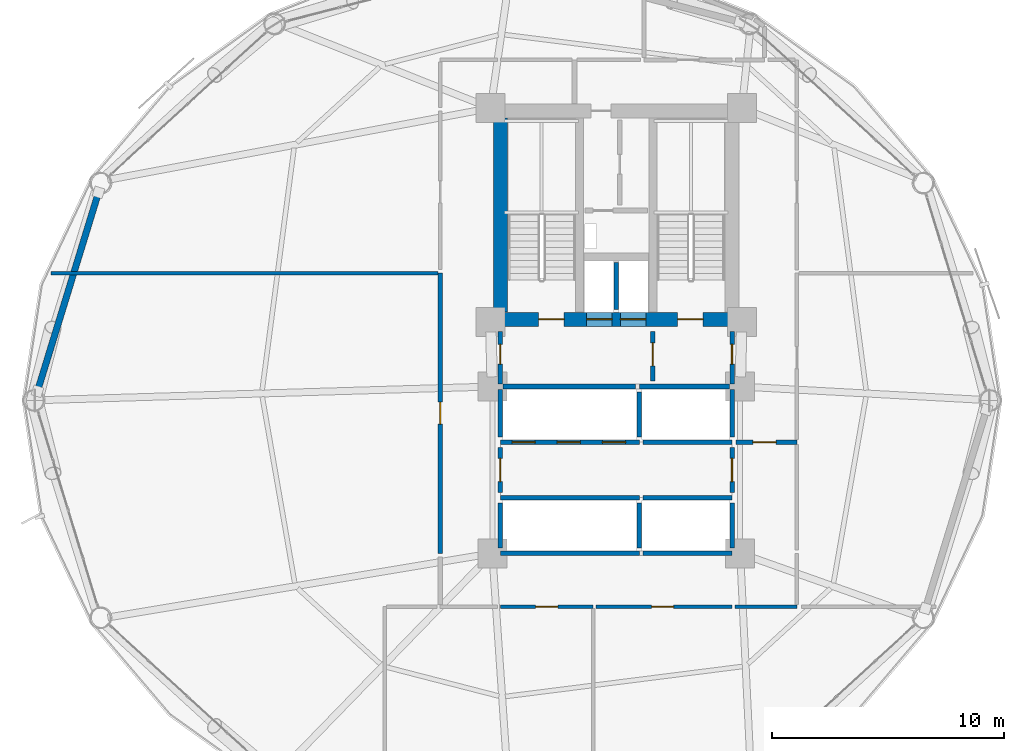
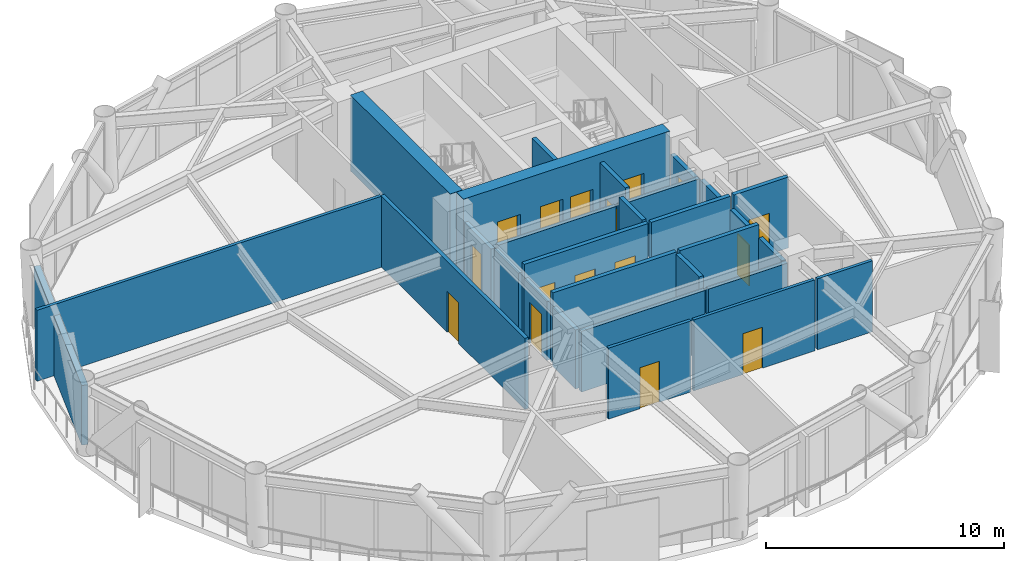
# One storey, part 21 of 25: 29 walls, 16 doors, 16 openings.
"""IFC4 building model written with IfcOpenShell, lengths in metres."""

from ifc_helpers import new_model, si_unit, direction, frame, frame_2d, origin, place, context, subcontext, project, spatial, rectangle, extrude, material, layer, layer_set, type_object, element, fill, save


model = new_model("IFC4")

# Units and contexts
model_context = context("Model", 3, precision=1e-05, world=origin(), true_north=direction((0.0, 1.0)))
body_context = subcontext(model_context, "Body", "Model", "MODEL_VIEW")
ifc_project = project(units=[si_unit("LENGTHUNIT", "METRE"), si_unit("AREAUNIT", "SQUARE_METRE"), si_unit("VOLUMEUNIT", "CUBIC_METRE"), si_unit("PLANEANGLEUNIT", "RADIAN"), si_unit("MASSUNIT", "GRAM", prefix="KILO")], contexts=[model_context])

# Site, building, storey
site_placement = place(None, origin())
site = spatial("IfcSite", under=ifc_project, at=site_placement, CompositionType="ELEMENT")
building_placement = place(site_placement, origin())
building = spatial("IfcBuilding", under=site, at=building_placement, Name="Varnakorn Sky Granary", CompositionType="ELEMENT")
storey_placement = place(building_placement, frame((0.0, 0.0, 39.300048828125)))
storey = spatial("IfcBuildingStorey", under=building, at=storey_placement, Name="L09", CompositionType="ELEMENT", Elevation=39.300048828125)

# Wall, openings, doors
ifc_material_1 = material(Name="Concrete C60/75", Category="concrete")
ifc_layer_1 = layer(ifc_material_1, 0.60009765625, Name="Concrete C60/75")
ifc_layer_set_1 = layer_set([ifc_layer_1], Name="Concrete C60/75")
wall_type_1 = type_object("IfcWallType", Name="WT-CW-SHEAR-600", PredefinedType="SHEAR", material=ifc_layer_set_1)
wall_1_placement = place(storey_placement, frame((-2.0, 3.5, 0.0), z_axis=(0.0, 0.0, 1.0), x_axis=(1.0, 0.0, 0.0)))
wall_1 = element("IfcWall", 1, at=wall_1_placement, inside=storey, type_object=wall_type_1, Name="Core South Shear Wall L09", PredefinedType="SHEAR", context=body_context, shape_type="SweptSolid", body=[
    extrude(rectangle(XDim=10.0, YDim=0.60009765625, at=frame_2d((5.0, 0.0))), origin(), (0.0, 0.0, 1.0), 3.891845703125),
])
opening_1_placement = place(wall_1_placement, frame((1.64990234375, 0.0, 0.0)))
opening_1 = element("IfcOpeningElement", 2, at=opening_1_placement, cuts=wall_1, Name="Opening FD-90", PredefinedType="OPENING", context=body_context, shape_type="SweptSolid", body=[
    extrude(rectangle(XDim=1.10009765625, YDim=2.14990234375, at=frame_2d((0.550048828125, 1.074951171875))), frame((0.0, 0.31005859375, 0.0), z_axis=(0.0, -1.0, 0.0), x_axis=(1.0, 0.0, 0.0)), (0.0, 0.0, 1.0), 0.6201171875),
])
opening_2_placement = place(wall_1_placement, frame((7.64990234375, 0.0, 0.0)))
opening_2 = element("IfcOpeningElement", 3, at=opening_2_placement, cuts=wall_1, Name="Opening FD-90", PredefinedType="OPENING", context=body_context, shape_type="SweptSolid", body=[
    extrude(rectangle(XDim=1.10009765625, YDim=2.14990234375, at=frame_2d((0.550048828125, 1.074951171875))), frame((0.0, 0.31005859375, 0.0), z_axis=(0.0, -1.0, 0.0), x_axis=(1.0, 0.0, 0.0)), (0.0, 0.0, 1.0), 0.6201171875),
])
opening_3_placement = place(wall_1_placement, frame((3.719970703125, 0.0, 0.0)))
opening_3 = element("IfcOpeningElement", 4, at=opening_3_placement, cuts=wall_1, Name="Opening LD-01", PredefinedType="OPENING", context=body_context, shape_type="SweptSolid", body=[
    extrude(rectangle(XDim=1.10009765625, YDim=2.199951171875, at=frame_2d((0.550048828125, 1.10009765625))), frame((0.0, 0.31005859375, 0.0), z_axis=(0.0, -1.0, 0.0), x_axis=(1.0, 0.0, 0.0)), (0.0, 0.0, 1.0), 0.6201171875),
])
opening_4_placement = place(wall_1_placement, frame((5.179931640625, 0.0, 0.0)))
opening_4 = element("IfcOpeningElement", 5, at=opening_4_placement, cuts=wall_1, Name="Opening LD-01", PredefinedType="OPENING", context=body_context, shape_type="SweptSolid", body=[
    extrude(rectangle(XDim=1.10009765625, YDim=2.199951171875, at=frame_2d((0.550048828125, 1.10009765625))), frame((0.0, 0.31005859375, 0.0), z_axis=(0.0, -1.0, 0.0), x_axis=(1.0, 0.0, 0.0)), (0.0, 0.0, 1.0), 0.6201171875),
])
ifc_material_2 = material(Name="Brushed Bronze Stainless Steel", Category="steel")
door_type_1 = type_object("IfcDoorType", Name="DR-LD-1100", OperationType="DOUBLE_DOOR_SLIDING", PredefinedType="DOOR", material=ifc_material_2)
door_1_placement = place(opening_3_placement, origin())
door_1 = element("IfcDoor", 6, at=door_1_placement, inside=storey, type_object=door_type_1, Name="Firefighting Lift FFL-1 Landing Door L09", OperationType="DOUBLE_DOOR_SLIDING", OverallHeight=2.199951171875, OverallWidth=1.10009765625, PredefinedType="DOOR", context=body_context, shape_type="SweptSolid", body=[
    extrude(rectangle(XDim=1.10009765625, YDim=2.199951171875, at=frame_2d((0.550048828125, 1.10009765625))), frame((0.0, 0.02490234375, 0.0), z_axis=(0.0, -1.0, 0.0), x_axis=(1.0, 0.0, 0.0)), (0.0, 0.0, 1.0), 0.050048828125),
])
fill(opening_3, door_1)
door_2_placement = place(opening_4_placement, origin())
door_2 = element("IfcDoor", 7, at=door_2_placement, inside=storey, type_object=door_type_1, Name="Firefighting Lift FFL-2 Landing Door L09", OperationType="DOUBLE_DOOR_SLIDING", OverallHeight=2.199951171875, OverallWidth=1.10009765625, PredefinedType="DOOR", context=body_context, shape_type="SweptSolid", body=[
    extrude(rectangle(XDim=1.10009765625, YDim=2.199951171875, at=frame_2d((0.550048828125, 1.10009765625))), frame((0.0, 0.02490234375, 0.0), z_axis=(0.0, -1.0, 0.0), x_axis=(1.0, 0.0, 0.0)), (0.0, 0.0, 1.0), 0.050048828125),
])
fill(opening_4, door_2)
ifc_material_3 = material(Name="Galvanised Painted Steel Leaf", Category="steel")
door_type_2 = type_object("IfcDoorType", Name="DR-STAIR-1100", OperationType="NOTDEFINED", PredefinedType="DOOR", material=ifc_material_3)
door_3_placement = place(opening_1_placement, origin())
door_3 = element("IfcDoor", 8, at=door_3_placement, inside=storey, type_object=door_type_2, Name="Stair ST-1 Protected Fire Door L09", OperationType="SINGLE_SWING_LEFT", OverallHeight=2.14990234375, OverallWidth=1.10009765625, PredefinedType="DOOR", context=body_context, shape_type="SweptSolid", body=[
    extrude(rectangle(XDim=1.10009765625, YDim=2.14990234375, at=frame_2d((0.550048828125, 1.074951171875))), frame((0.0, 0.02490234375, 0.0), z_axis=(0.0, -1.0, 0.0), x_axis=(1.0, 0.0, 0.0)), (0.0, 0.0, 1.0), 0.050048828125),
])
fill(opening_1, door_3)
door_4_placement = place(opening_2_placement, origin())
door_4 = element("IfcDoor", 9, at=door_4_placement, inside=storey, type_object=door_type_2, Name="Stair ST-2 Protected Fire Door L09", OperationType="SINGLE_SWING_RIGHT", OverallHeight=2.14990234375, OverallWidth=1.10009765625, PredefinedType="DOOR", context=body_context, shape_type="SweptSolid", body=[
    extrude(rectangle(XDim=1.10009765625, YDim=2.14990234375, at=frame_2d((0.550048828125, 1.074951171875))), frame((0.0, 0.02490234375, 0.0), z_axis=(0.0, -1.0, 0.0), x_axis=(1.0, 0.0, 0.0)), (0.0, 0.0, 1.0), 0.050048828125),
])
fill(opening_2, door_4)

# Walls
wall_2_placement = place(storey_placement, frame((-2.0, 3.81005859375, 0.0), z_axis=(0.0, 0.0, 1.0), x_axis=(0.0, 1.0, 0.0)))
element("IfcWall", 10, at=wall_2_placement, inside=storey, type_object=wall_type_1, Name="Core West Shear Wall L09", PredefinedType="SHEAR", context=body_context, shape_type="SweptSolid", body=[
    extrude(rectangle(XDim=8.3798828125, YDim=0.60009765625, at=frame_2d((4.18994140625, 0.0))), origin(), (0.0, 0.0, 1.0), 3.891845703125),
])
ifc_material_4 = material(Name="Precast concrete C40/50", Category="concrete")
ifc_layer_2 = layer(ifc_material_4, 0.280029296875, Name="Precast concrete C40/50")
ifc_layer_set_2 = layer_set([ifc_layer_2], Name="Precast concrete C40/50")
wall_type_2 = type_object("IfcWallType", Name="WT-EW-CRN-280", PredefinedType="SOLIDWALL", material=ifc_layer_set_2)
wall_3_placement = place(storey_placement, frame((-21.985107421875, 0.393798828125, 0.0), z_axis=(0.0, 0.0, 1.0), x_axis=(0.293459272164, 0.955971576764, 0.0)))
element("IfcWall", 11, at=wall_3_placement, inside=storey, type_object=wall_type_2, Name="Agritech Insulated Precast Facade Wall L09-P06", PredefinedType="SOLIDWALL", context=body_context, shape_type="SweptSolid", body=[
    extrude(rectangle(XDim=8.981689453125, YDim=0.280029296875, at=frame_2d((4.49072265625, 0.0))), origin(), (0.0, 0.0, 1.0), 3.06005859375),
])

# Wall, opening, door
ifc_material_5 = material(Name="Autoclaved Aerated Concrete Blockwork", Category="masonry")
ifc_layer_3 = layer(ifc_material_5, 0.199951171875, Name="Autoclaved Aerated Concrete Blockwork")
ifc_layer_set_3 = layer_set([ifc_layer_3], Name="Autoclaved Aerated Concrete Blockwork")
wall_type_3 = type_object("IfcWallType", Name="WT-FIRE-200", PredefinedType="MOVABLE", material=ifc_layer_set_3)
wall_4_placement = place(storey_placement, frame((4.580078125, 0.830078125, 0.0), z_axis=(0.0, 0.0, 1.0), x_axis=(0.0, 1.0, 0.0)))
wall_4 = element("IfcWall", 12, at=wall_4_placement, inside=storey, type_object=wall_type_3, Name="Interior Partition Wall L09-017", PredefinedType="MOVABLE", context=body_context, shape_type="SweptSolid", body=[
    extrude(rectangle(XDim=2.139892578125, YDim=0.199951171875, at=frame_2d((1.06982421875, 0.0))), origin(), (0.0, 0.0, 1.0), 3.639892578125),
])
opening_5_placement = place(wall_4_placement, frame((0.659912109375, 0.0, 0.0)))
opening_5 = element("IfcOpeningElement", 13, at=opening_5_placement, cuts=wall_4, Name="Opening FD-60", PredefinedType="OPENING", context=body_context, shape_type="SweptSolid", body=[
    extrude(rectangle(XDim=1.0, YDim=2.10009765625, at=frame_2d((0.5, 1.050048828125))), frame((0.0, 0.10986328125, 0.0), z_axis=(0.0, -1.0, 0.0), x_axis=(1.0, 0.0, 0.0)), (0.0, 0.0, 1.0), 0.219970703125),
])
ifc_material_6 = material(Name="Acoustic Timber Fire Leaf", Category="wood")
door_type_3 = type_object("IfcDoorType", Name="DR-FD60-1000", OperationType="NOTDEFINED", PredefinedType="DOOR", material=ifc_material_6)
door_5_placement = place(opening_5_placement, origin())
door_5 = element("IfcDoor", 14, at=door_5_placement, inside=storey, type_object=door_type_3, Name="Interior Door L09-017-1", OperationType="SINGLE_SWING_RIGHT", OverallHeight=2.10009765625, OverallWidth=1.0, PredefinedType="DOOR", context=body_context, shape_type="SweptSolid", body=[
    extrude(rectangle(XDim=1.0, YDim=2.10009765625, at=frame_2d((0.5, 1.050048828125))), frame((0.0, 0.02490234375, 0.0), z_axis=(0.0, -1.0, 0.0), x_axis=(1.0, 0.0, 0.0)), (0.0, 0.0, 1.0), 0.050048828125),
])
fill(opening_5, door_5)

wall_5_placement = place(storey_placement, frame((-2.0, 0.719970703125, 0.0), z_axis=(0.0, 0.0, 1.0), x_axis=(0.0, 1.0, 0.0)))
wall_5 = element("IfcWall", 15, at=wall_5_placement, inside=storey, type_object=wall_type_3, Name="Interior Partition Wall L09-018", PredefinedType="MOVABLE", context=body_context, shape_type="SweptSolid", body=[
    extrude(rectangle(XDim=2.25, YDim=0.199951171875, at=frame_2d((1.125, 0.0))), origin(), (0.0, 0.0, 1.0), 2.8720703125),
])
opening_6_placement = place(wall_5_placement, frame((0.844970703125, 0.0, 0.0)))
opening_6 = element("IfcOpeningElement", 16, at=opening_6_placement, cuts=wall_5, Name="Opening FD-60N", PredefinedType="OPENING", context=body_context, shape_type="SweptSolid", body=[
    extrude(rectangle(XDim=0.85009765625, YDim=2.10009765625, at=frame_2d((0.425048828125, 1.050048828125))), frame((0.0, 0.10986328125, 0.0), z_axis=(0.0, -1.0, 0.0), x_axis=(1.0, 0.0, 0.0)), (0.0, 0.0, 1.0), 0.219970703125),
])
door_type_4 = type_object("IfcDoorType", Name="DR-FD60-850", OperationType="NOTDEFINED", PredefinedType="DOOR", material=ifc_material_6)
door_6_placement = place(opening_6_placement, origin())
door_6 = element("IfcDoor", 17, at=door_6_placement, inside=storey, type_object=door_type_4, Name="Interior Door L09-018-1", OperationType="SINGLE_SWING_LEFT", OverallHeight=2.10009765625, OverallWidth=0.85009765625, PredefinedType="DOOR", context=body_context, shape_type="SweptSolid", body=[
    extrude(rectangle(XDim=0.85009765625, YDim=2.10009765625, at=frame_2d((0.425048828125, 1.050048828125))), frame((0.0, 0.02490234375, 0.0), z_axis=(0.0, -1.0, 0.0), x_axis=(1.0, 0.0, 0.0)), (0.0, 0.0, 1.0), 0.050048828125),
])
fill(opening_6, door_6)

wall_6_placement = place(storey_placement, frame((8.0, 0.719970703125, 0.0), z_axis=(0.0, 0.0, 1.0), x_axis=(0.0, 1.0, 0.0)))
wall_6 = element("IfcWall", 18, at=wall_6_placement, inside=storey, type_object=wall_type_3, Name="Interior Partition Wall L09-019", PredefinedType="MOVABLE", context=body_context, shape_type="SweptSolid", body=[
    extrude(rectangle(XDim=2.25, YDim=0.199951171875, at=frame_2d((1.125, 0.0))), origin(), (0.0, 0.0, 1.0), 2.8720703125),
])
opening_7_placement = place(wall_6_placement, frame((0.844970703125, 0.0, 0.0)))
opening_7 = element("IfcOpeningElement", 19, at=opening_7_placement, cuts=wall_6, Name="Opening FD-60N", PredefinedType="OPENING", context=body_context, shape_type="SweptSolid", body=[
    extrude(rectangle(XDim=0.85009765625, YDim=2.10009765625, at=frame_2d((0.425048828125, 1.050048828125))), frame((0.0, 0.10986328125, 0.0), z_axis=(0.0, -1.0, 0.0), x_axis=(1.0, 0.0, 0.0)), (0.0, 0.0, 1.0), 0.219970703125),
])
door_7_placement = place(opening_7_placement, origin())
door_7 = element("IfcDoor", 20, at=door_7_placement, inside=storey, type_object=door_type_4, Name="Interior Door L09-019-1", OperationType="SINGLE_SWING_RIGHT", OverallHeight=2.10009765625, OverallWidth=0.85009765625, PredefinedType="DOOR", context=body_context, shape_type="SweptSolid", body=[
    extrude(rectangle(XDim=0.85009765625, YDim=2.10009765625, at=frame_2d((0.425048828125, 1.050048828125))), frame((0.0, 0.02490234375, 0.0), z_axis=(0.0, -1.0, 0.0), x_axis=(1.0, 0.0, 0.0)), (0.0, 0.0, 1.0), 0.050048828125),
])
fill(opening_7, door_7)

wall_7_placement = place(storey_placement, frame((-2.0, -3.969970703125, 0.0), z_axis=(0.0, 0.0, 1.0), x_axis=(0.0, 1.0, 0.0)))
wall_7 = element("IfcWall", 21, at=wall_7_placement, inside=storey, type_object=wall_type_3, Name="Interior Partition Wall L09-020", PredefinedType="MOVABLE", context=body_context, shape_type="SweptSolid", body=[
    extrude(rectangle(XDim=1.93994140625, YDim=0.199951171875, at=frame_2d((0.969970703125, 0.0))), origin(), (0.0, 0.0, 1.0), 3.02197265625),
])
opening_8_placement = place(wall_7_placement, frame((0.469970703125, 0.0, 0.0)))
opening_8 = element("IfcOpeningElement", 22, at=opening_8_placement, cuts=wall_7, Name="Opening FD-60", PredefinedType="OPENING", context=body_context, shape_type="SweptSolid", body=[
    extrude(rectangle(XDim=1.0, YDim=2.10009765625, at=frame_2d((0.5, 1.050048828125))), frame((0.0, 0.10986328125, 0.0), z_axis=(0.0, -1.0, 0.0), x_axis=(1.0, 0.0, 0.0)), (0.0, 0.0, 1.0), 0.219970703125),
])
door_8_placement = place(opening_8_placement, origin())
door_8 = element("IfcDoor", 23, at=door_8_placement, inside=storey, type_object=door_type_3, Name="Interior Door L09-020-1", OperationType="SINGLE_SWING_LEFT", OverallHeight=2.10009765625, OverallWidth=1.0, PredefinedType="DOOR", context=body_context, shape_type="SweptSolid", body=[
    extrude(rectangle(XDim=1.0, YDim=2.10009765625, at=frame_2d((0.5, 1.050048828125))), frame((0.0, 0.02490234375, 0.0), z_axis=(0.0, -1.0, 0.0), x_axis=(1.0, 0.0, 0.0)), (0.0, 0.0, 1.0), 0.050048828125),
])
fill(opening_8, door_8)

wall_8_placement = place(storey_placement, frame((8.0, -3.969970703125, 0.0), z_axis=(0.0, 0.0, 1.0), x_axis=(0.0, 1.0, 0.0)))
wall_8 = element("IfcWall", 24, at=wall_8_placement, inside=storey, type_object=wall_type_3, Name="Interior Partition Wall L09-021", PredefinedType="MOVABLE", context=body_context, shape_type="SweptSolid", body=[
    extrude(rectangle(XDim=1.93994140625, YDim=0.199951171875, at=frame_2d((0.969970703125, 0.0))), origin(), (0.0, 0.0, 1.0), 3.072021484375),
])
opening_9_placement = place(wall_8_placement, frame((0.469970703125, 0.0, 0.0)))
opening_9 = element("IfcOpeningElement", 25, at=opening_9_placement, cuts=wall_8, Name="Opening FD-60", PredefinedType="OPENING", context=body_context, shape_type="SweptSolid", body=[
    extrude(rectangle(XDim=1.0, YDim=2.10009765625, at=frame_2d((0.5, 1.050048828125))), frame((0.0, 0.10986328125, 0.0), z_axis=(0.0, -1.0, 0.0), x_axis=(1.0, 0.0, 0.0)), (0.0, 0.0, 1.0), 0.219970703125),
])
door_9_placement = place(opening_9_placement, origin())
door_9 = element("IfcDoor", 26, at=door_9_placement, inside=storey, type_object=door_type_3, Name="Interior Door L09-021-1", OperationType="SINGLE_SWING_RIGHT", OverallHeight=2.10009765625, OverallWidth=1.0, PredefinedType="DOOR", context=body_context, shape_type="SweptSolid", body=[
    extrude(rectangle(XDim=1.0, YDim=2.10009765625, at=frame_2d((0.5, 1.050048828125))), frame((0.0, 0.02490234375, 0.0), z_axis=(0.0, -1.0, 0.0), x_axis=(1.0, 0.0, 0.0)), (0.0, 0.0, 1.0), 0.050048828125),
])
fill(opening_9, door_9)

wall_9_placement = place(storey_placement, frame((8.159912109375, -1.800048828125, 0.0), z_axis=(0.0, 0.0, 1.0), x_axis=(1.0, 0.0, 0.0)))
wall_9 = element("IfcWall", 27, at=wall_9_placement, inside=storey, type_object=wall_type_3, Name="Interior Partition Wall L09-022", PredefinedType="MOVABLE", context=body_context, shape_type="SweptSolid", body=[
    extrude(rectangle(XDim=2.64013671875, YDim=0.199951171875, at=frame_2d((1.320068359375, 0.0))), origin(), (0.0, 0.0, 1.0), 3.639892578125),
])
opening_10_placement = place(wall_9_placement, frame((0.739990234375, 0.0, 0.0)))
opening_10 = element("IfcOpeningElement", 28, at=opening_10_placement, cuts=wall_9, Name="Opening FD-60", PredefinedType="OPENING", context=body_context, shape_type="SweptSolid", body=[
    extrude(rectangle(XDim=1.0, YDim=2.10009765625, at=frame_2d((0.5, 1.050048828125))), frame((0.0, 0.10986328125, 0.0), z_axis=(0.0, -1.0, 0.0), x_axis=(1.0, 0.0, 0.0)), (0.0, 0.0, 1.0), 0.219970703125),
])
door_10_placement = place(opening_10_placement, origin())
door_10 = element("IfcDoor", 29, at=door_10_placement, inside=storey, type_object=door_type_3, Name="Interior Door L09-022-1", OperationType="SINGLE_SWING_LEFT", OverallHeight=2.10009765625, OverallWidth=1.0, PredefinedType="DOOR", context=body_context, shape_type="SweptSolid", body=[
    extrude(rectangle(XDim=1.0, YDim=2.10009765625, at=frame_2d((0.5, 1.050048828125))), frame((0.0, 0.02490234375, 0.0), z_axis=(0.0, -1.0, 0.0), x_axis=(1.0, 0.0, 0.0)), (0.0, 0.0, 1.0), 0.050048828125),
])
fill(opening_10, door_10)

# Wall
wall_10_placement = place(storey_placement, frame((-1.8798828125, 0.60009765625, 0.0), z_axis=(0.0, 0.0, 1.0), x_axis=(1.0, 0.0, 0.0)))
element("IfcWall", 30, at=wall_10_placement, inside=storey, type_object=wall_type_3, Name="Interior Partition Wall L09-030", PredefinedType="MOVABLE", context=body_context, shape_type="SweptSolid", body=[
    extrude(rectangle(XDim=5.719970703125, YDim=0.199951171875, at=frame_2d((2.85986328125, 0.0))), origin(), (0.0, 0.0, 1.0), 3.1220703125),
])

# Wall, opening, door
ifc_material_7 = material(Name="Gypsum Plasterboard on Steel Stud", Category="steel")
ifc_layer_4 = layer(ifc_material_7, 0.14990234375, Name="Gypsum Plasterboard on Steel Stud")
ifc_layer_set_4 = layer_set([ifc_layer_4], Name="Gypsum Plasterboard on Steel Stud")
wall_type_4 = type_object("IfcWallType", Name="WT-PART-150", PredefinedType="PARTITIONING", material=ifc_layer_set_4)
wall_11_placement = place(storey_placement, frame((-2.0, -8.89990234375, 0.0), z_axis=(0.0, 0.0, 1.0), x_axis=(1.0, 0.0, 0.0)))
wall_11 = element("IfcWall", 31, at=wall_11_placement, inside=storey, type_object=wall_type_4, Name="Interior Partition Wall L09-024", PredefinedType="PARTITIONING", context=body_context, shape_type="SweptSolid", body=[
    extrude(rectangle(XDim=4.0, YDim=0.14990234375, at=frame_2d((2.0, 0.0))), origin(), (0.0, 0.0, 1.0), 3.639892578125),
])
opening_11_placement = place(wall_11_placement, frame((1.52490234375, 0.0, 0.0)))
opening_11 = element("IfcOpeningElement", 32, at=opening_11_placement, cuts=wall_11, Name="Opening ID-95", PredefinedType="OPENING", context=body_context, shape_type="SweptSolid", body=[
    extrude(rectangle(XDim=0.949951171875, YDim=2.10009765625, at=frame_2d((0.47509765625, 1.050048828125))), frame((0.0, 0.0849609375, 0.0), z_axis=(0.0, -1.0, 0.0), x_axis=(1.0, 0.0, 0.0)), (0.0, 0.0, 1.0), 0.169921875),
])
ifc_material_8 = material(Name="Solid-Core Teak Veneer Leaf", Category="timber")
door_type_5 = type_object("IfcDoorType", Name="DR-INT-950", OperationType="NOTDEFINED", PredefinedType="DOOR", material=ifc_material_8)
door_11_placement = place(opening_11_placement, origin())
door_11 = element("IfcDoor", 33, at=door_11_placement, inside=storey, type_object=door_type_5, Name="Interior Door L09-024-1", OperationType="SINGLE_SWING_LEFT", OverallHeight=2.10009765625, OverallWidth=0.949951171875, PredefinedType="DOOR", context=body_context, shape_type="SweptSolid", body=[
    extrude(rectangle(XDim=0.949951171875, YDim=2.10009765625, at=frame_2d((0.47509765625, 1.050048828125))), frame((0.0, 0.02490234375, 0.0), z_axis=(0.0, -1.0, 0.0), x_axis=(1.0, 0.0, 0.0)), (0.0, 0.0, 1.0), 0.050048828125),
])
fill(opening_11, door_11)

wall_12_placement = place(storey_placement, frame((2.135009765625, -8.89990234375, 0.0), z_axis=(0.0, 0.0, 1.0), x_axis=(1.0, 0.0, 0.0)))
wall_12 = element("IfcWall", 34, at=wall_12_placement, inside=storey, type_object=wall_type_4, Name="Interior Partition Wall L09-025", PredefinedType="PARTITIONING", context=body_context, shape_type="SweptSolid", body=[
    extrude(rectangle(XDim=5.864990234375, YDim=0.14990234375, at=frame_2d((2.9326171875, 0.0))), origin(), (0.0, 0.0, 1.0), 3.639892578125),
])
opening_12_placement = place(wall_12_placement, frame((2.389892578125, 0.0, 0.0)))
opening_12 = element("IfcOpeningElement", 35, at=opening_12_placement, cuts=wall_12, Name="Opening ID-95", PredefinedType="OPENING", context=body_context, shape_type="SweptSolid", body=[
    extrude(rectangle(XDim=0.949951171875, YDim=2.10009765625, at=frame_2d((0.47509765625, 1.050048828125))), frame((0.0, 0.0849609375, 0.0), z_axis=(0.0, -1.0, 0.0), x_axis=(1.0, 0.0, 0.0)), (0.0, 0.0, 1.0), 0.169921875),
])
door_12_placement = place(opening_12_placement, origin())
door_12 = element("IfcDoor", 36, at=door_12_placement, inside=storey, type_object=door_type_5, Name="Interior Door L09-025-1", OperationType="SINGLE_SWING_RIGHT", OverallHeight=2.10009765625, OverallWidth=0.949951171875, PredefinedType="DOOR", context=body_context, shape_type="SweptSolid", body=[
    extrude(rectangle(XDim=0.949951171875, YDim=2.10009765625, at=frame_2d((0.47509765625, 1.050048828125))), frame((0.0, 0.02490234375, 0.0), z_axis=(0.0, -1.0, 0.0), x_axis=(1.0, 0.0, 0.0)), (0.0, 0.0, 1.0), 0.050048828125),
])
fill(opening_12, door_12)

# Walls
wall_13_placement = place(storey_placement, frame((8.135009765625, -8.89990234375, 0.0), z_axis=(0.0, 0.0, 1.0), x_axis=(1.0, 0.0, 0.0)))
element("IfcWall", 37, at=wall_13_placement, inside=storey, type_object=wall_type_4, Name="Interior Partition Wall L09-037", PredefinedType="PARTITIONING", context=body_context, shape_type="SweptSolid", body=[
    extrude(rectangle(XDim=2.6650390625, YDim=0.14990234375, at=frame_2d((1.33251953125, 0.0))), origin(), (0.0, 0.0, 1.0), 3.639892578125),
])
wall_14_placement = place(storey_placement, frame((-21.402099609375, 5.5, 0.0), z_axis=(0.0, 0.0, 1.0), x_axis=(1.0, 0.0, 0.0)))
element("IfcWall", 38, at=wall_14_placement, inside=storey, type_object=wall_type_4, Name="Interior Partition Wall L09-040", PredefinedType="PARTITIONING", context=body_context, shape_type="SweptSolid", body=[
    extrude(rectangle(XDim=16.7021484375, YDim=0.14990234375, at=frame_2d((8.35107421875, 0.0))), origin(), (0.0, 0.0, 1.0), 3.639892578125),
])

# Wall, opening, door
ifc_material_9 = material(Name="Moisture-Resistant Gypsum on Stud", Category="gypsum")
ifc_layer_5 = layer(ifc_material_9, 0.179931640625, Name="Moisture-Resistant Gypsum on Stud")
ifc_layer_set_5 = layer_set([ifc_layer_5], Name="Moisture-Resistant Gypsum on Stud")
wall_type_5 = type_object("IfcWallType", Name="WT-PLUMB-180", PredefinedType="PLUMBINGWALL", material=ifc_layer_set_5)
wall_15_placement = place(storey_placement, frame((-4.60009765625, 5.5, 0.0), z_axis=(0.0, 0.0, 1.0), x_axis=(0.0, -1.0, 0.0)))
wall_15 = element("IfcWall", 39, at=wall_15_placement, inside=storey, type_object=wall_type_5, Name="Interior Partition Wall L09-026", PredefinedType="PLUMBINGWALL", context=body_context, shape_type="SweptSolid", body=[
    extrude(rectangle(XDim=12.10009765625, YDim=0.179931640625, at=frame_2d((6.050048828125, 0.0))), origin(), (0.0, 0.0, 1.0), 3.639892578125),
])
opening_13_placement = place(wall_15_placement, frame((5.574951171875, 0.0, 0.0)))
opening_13 = element("IfcOpeningElement", 40, at=opening_13_placement, cuts=wall_15, Name="Opening ID-95", PredefinedType="OPENING", context=body_context, shape_type="SweptSolid", body=[
    extrude(rectangle(XDim=0.949951171875, YDim=2.10009765625, at=frame_2d((0.47509765625, 1.050048828125))), frame((0.0, 0.10009765625, 0.0), z_axis=(0.0, -1.0, 0.0), x_axis=(1.0, 0.0, 0.0)), (0.0, 0.0, 1.0), 0.199951171875),
])
door_13_placement = place(opening_13_placement, origin())
door_13 = element("IfcDoor", 41, at=door_13_placement, inside=storey, type_object=door_type_5, Name="Interior Door L09-026-1", OperationType="SINGLE_SWING_LEFT", OverallHeight=2.10009765625, OverallWidth=0.949951171875, PredefinedType="DOOR", context=body_context, shape_type="SweptSolid", body=[
    extrude(rectangle(XDim=0.949951171875, YDim=2.10009765625, at=frame_2d((0.47509765625, 1.050048828125))), frame((0.0, 0.02490234375, 0.0), z_axis=(0.0, -1.0, 0.0), x_axis=(1.0, 0.0, 0.0)), (0.0, 0.0, 1.0), 0.050048828125),
])
fill(opening_13, door_13)

# Walls
ifc_layer_6 = layer(ifc_material_5, 0.199951171875, Name="Autoclaved Aerated Concrete Blockwork")
ifc_layer_set_6 = layer_set([ifc_layer_6], Name="Autoclaved Aerated Concrete Blockwork")
wall_type_6 = type_object("IfcWallType", Name="WT-SHAFT-200", PredefinedType="SOLIDWALL", material=ifc_layer_set_6)
wall_16_placement = place(storey_placement, frame((3.0, 3.919921875, 0.0), z_axis=(0.0, 0.0, 1.0), x_axis=(0.0, 1.0, 0.0)))
element("IfcWall", 42, at=wall_16_placement, inside=storey, type_object=wall_type_6, Name="Interior Partition Wall L09-001", PredefinedType="SOLIDWALL", context=body_context, shape_type="SweptSolid", body=[
    extrude(rectangle(XDim=2.030029296875, YDim=0.199951171875, at=frame_2d((1.01513671875, 0.0))), origin(), (0.0, 0.0, 1.0), 3.639892578125),
])
wall_17_placement = place(storey_placement, frame((4.0, 0.60009765625, 0.0), z_axis=(0.0, 0.0, 1.0), x_axis=(1.0, 0.0, 0.0)))
element("IfcWall", 43, at=wall_17_placement, inside=storey, type_object=wall_type_6, Name="Interior Partition Wall L09-002", PredefinedType="SOLIDWALL", context=body_context, shape_type="SweptSolid", body=[
    extrude(rectangle(XDim=3.8798828125, YDim=0.199951171875, at=frame_2d((1.93994140625, 0.0))), origin(), (0.0, 0.0, 1.0), 3.1220703125),
])

# Wall, openings, doors
wall_18_placement = place(storey_placement, frame((-2.0, -1.800048828125, 0.0), z_axis=(0.0, 0.0, 1.0), x_axis=(1.0, 0.0, 0.0)))
wall_18 = element("IfcWall", 44, at=wall_18_placement, inside=storey, type_object=wall_type_6, Name="Interior Partition Wall L09-003", PredefinedType="SOLIDWALL", context=body_context, shape_type="SweptSolid", body=[
    extrude(rectangle(XDim=6.0, YDim=0.199951171875, at=frame_2d((3.0, 0.0))), origin(), (0.0, 0.0, 1.0), 3.639892578125),
])
opening_14_placement = place(wall_18_placement, frame((0.5, 0.0, 0.0)))
opening_14 = element("IfcOpeningElement", 45, at=opening_14_placement, cuts=wall_18, Name="Opening LD-03", PredefinedType="OPENING", context=body_context, shape_type="SweptSolid", body=[
    extrude(rectangle(XDim=1.0, YDim=2.199951171875, at=frame_2d((0.5, 1.10009765625))), frame((0.0, 0.10986328125, 0.0), z_axis=(0.0, -1.0, 0.0), x_axis=(1.0, 0.0, 0.0)), (0.0, 0.0, 1.0), 0.219970703125),
])
opening_15_placement = place(wall_18_placement, frame((2.449951171875, 0.0, 0.0)))
opening_15 = element("IfcOpeningElement", 46, at=opening_15_placement, cuts=wall_18, Name="Opening LD-03", PredefinedType="OPENING", context=body_context, shape_type="SweptSolid", body=[
    extrude(rectangle(XDim=1.0, YDim=2.199951171875, at=frame_2d((0.5, 1.10009765625))), frame((0.0, 0.10986328125, 0.0), z_axis=(0.0, -1.0, 0.0), x_axis=(1.0, 0.0, 0.0)), (0.0, 0.0, 1.0), 0.219970703125),
])
opening_16_placement = place(wall_18_placement, frame((4.39990234375, 0.0, 0.0)))
opening_16 = element("IfcOpeningElement", 47, at=opening_16_placement, cuts=wall_18, Name="Opening LD-03", PredefinedType="OPENING", context=body_context, shape_type="SweptSolid", body=[
    extrude(rectangle(XDim=1.0, YDim=2.199951171875, at=frame_2d((0.5, 1.10009765625))), frame((0.0, 0.10986328125, 0.0), z_axis=(0.0, -1.0, 0.0), x_axis=(1.0, 0.0, 0.0)), (0.0, 0.0, 1.0), 0.219970703125),
])
door_type_6 = type_object("IfcDoorType", Name="DR-LD-1000", OperationType="DOUBLE_DOOR_SLIDING", PredefinedType="DOOR", material=ifc_material_2)
door_14_placement = place(opening_14_placement, origin())
door_14 = element("IfcDoor", 48, at=door_14_placement, inside=storey, type_object=door_type_6, Name="Passenger Lift PL-L1 Sliding Landing Door L09", OperationType="DOUBLE_DOOR_SLIDING", OverallHeight=2.199951171875, OverallWidth=1.0, PredefinedType="DOOR", context=body_context, shape_type="SweptSolid", body=[
    extrude(rectangle(XDim=1.0, YDim=2.199951171875, at=frame_2d((0.5, 1.10009765625))), frame((0.0, 0.02490234375, 0.0), z_axis=(0.0, -1.0, 0.0), x_axis=(1.0, 0.0, 0.0)), (0.0, 0.0, 1.0), 0.050048828125),
])
fill(opening_14, door_14)
door_15_placement = place(opening_15_placement, origin())
door_15 = element("IfcDoor", 49, at=door_15_placement, inside=storey, type_object=door_type_6, Name="Passenger Lift PL-L2 Sliding Landing Door L09", OperationType="DOUBLE_DOOR_SLIDING", OverallHeight=2.199951171875, OverallWidth=1.0, PredefinedType="DOOR", context=body_context, shape_type="SweptSolid", body=[
    extrude(rectangle(XDim=1.0, YDim=2.199951171875, at=frame_2d((0.5, 1.10009765625))), frame((0.0, 0.02490234375, 0.0), z_axis=(0.0, -1.0, 0.0), x_axis=(1.0, 0.0, 0.0)), (0.0, 0.0, 1.0), 0.050048828125),
])
fill(opening_15, door_15)
door_16_placement = place(opening_16_placement, origin())
door_16 = element("IfcDoor", 50, at=door_16_placement, inside=storey, type_object=door_type_6, Name="Passenger Lift PL-L3 Sliding Landing Door L09", OperationType="DOUBLE_DOOR_SLIDING", OverallHeight=2.199951171875, OverallWidth=1.0, PredefinedType="DOOR", context=body_context, shape_type="SweptSolid", body=[
    extrude(rectangle(XDim=1.0, YDim=2.199951171875, at=frame_2d((0.5, 1.10009765625))), frame((0.0, 0.02490234375, 0.0), z_axis=(0.0, -1.0, 0.0), x_axis=(1.0, 0.0, 0.0)), (0.0, 0.0, 1.0), 0.050048828125),
])
fill(opening_16, door_16)

# Walls
wall_19_placement = place(storey_placement, frame((-2.0, -1.570068359375, 0.0), z_axis=(0.0, 0.0, 1.0), x_axis=(0.0, 1.0, 0.0)))
element("IfcWall", 51, at=wall_19_placement, inside=storey, type_object=wall_type_6, Name="Interior Partition Wall L09-004", PredefinedType="SOLIDWALL", context=body_context, shape_type="SweptSolid", body=[
    extrude(rectangle(XDim=2.050048828125, YDim=0.199951171875, at=frame_2d((1.02490234375, 0.0))), origin(), (0.0, 0.0, 1.0), 3.02197265625),
])
wall_20_placement = place(storey_placement, frame((4.159912109375, -1.800048828125, 0.0), z_axis=(0.0, 0.0, 1.0), x_axis=(1.0, 0.0, 0.0)))
element("IfcWall", 52, at=wall_20_placement, inside=storey, type_object=wall_type_6, Name="Interior Partition Wall L09-005", PredefinedType="SOLIDWALL", context=body_context, shape_type="SweptSolid", body=[
    extrude(rectangle(XDim=3.840087890625, YDim=0.199951171875, at=frame_2d((1.919921875, 0.0))), origin(), (0.0, 0.0, 1.0), 3.639892578125),
])
wall_21_placement = place(storey_placement, frame((4.0, -1.570068359375, 0.0), z_axis=(0.0, 0.0, 1.0), x_axis=(0.0, 1.0, 0.0)))
element("IfcWall", 53, at=wall_21_placement, inside=storey, type_object=wall_type_6, Name="Interior Partition Wall L09-006", PredefinedType="SOLIDWALL", context=body_context, shape_type="SweptSolid", body=[
    extrude(rectangle(XDim=1.940185546875, YDim=0.199951171875, at=frame_2d((0.97021484375, 0.0))), origin(), (0.0, 0.0, 1.0), 3.639892578125),
])
wall_22_placement = place(storey_placement, frame((8.0, -1.570068359375, 0.0), z_axis=(0.0, 0.0, 1.0), x_axis=(0.0, 1.0, 0.0)))
element("IfcWall", 54, at=wall_22_placement, inside=storey, type_object=wall_type_6, Name="Interior Partition Wall L09-007", PredefinedType="SOLIDWALL", context=body_context, shape_type="SweptSolid", body=[
    extrude(rectangle(XDim=2.050048828125, YDim=0.199951171875, at=frame_2d((1.02490234375, 0.0))), origin(), (0.0, 0.0, 1.0), 3.072021484375),
])
wall_23_placement = place(storey_placement, frame((-2.0, -4.199951171875, 0.0), z_axis=(0.0, 0.0, 1.0), x_axis=(1.0, 0.0, 0.0)))
element("IfcWall", 55, at=wall_23_placement, inside=storey, type_object=wall_type_6, Name="Interior Partition Wall L09-008", PredefinedType="SOLIDWALL", context=body_context, shape_type="SweptSolid", body=[
    extrude(rectangle(XDim=6.0, YDim=0.199951171875, at=frame_2d((3.0, 0.0))), origin(), (0.0, 0.0, 1.0), 3.639892578125),
])
wall_24_placement = place(storey_placement, frame((-2.0, -6.60009765625, 0.0), z_axis=(0.0, 0.0, 1.0), x_axis=(1.0, 0.0, 0.0)))
element("IfcWall", 56, at=wall_24_placement, inside=storey, type_object=wall_type_6, Name="Interior Partition Wall L09-009", PredefinedType="SOLIDWALL", context=body_context, shape_type="SweptSolid", body=[
    extrude(rectangle(XDim=6.0, YDim=0.199951171875, at=frame_2d((3.0, 0.0))), origin(), (0.0, 0.0, 1.0), 3.1220703125),
])
wall_25_placement = place(storey_placement, frame((-2.0, -6.3701171875, 0.0), z_axis=(0.0, 0.0, 1.0), x_axis=(0.0, 1.0, 0.0)))
element("IfcWall", 57, at=wall_25_placement, inside=storey, type_object=wall_type_6, Name="Interior Partition Wall L09-010", PredefinedType="SOLIDWALL", context=body_context, shape_type="SweptSolid", body=[
    extrude(rectangle(XDim=1.940185546875, YDim=0.199951171875, at=frame_2d((0.97021484375, 0.0))), origin(), (0.0, 0.0, 1.0), 3.02197265625),
])
wall_26_placement = place(storey_placement, frame((4.159912109375, -4.199951171875, 0.0), z_axis=(0.0, 0.0, 1.0), x_axis=(1.0, 0.0, 0.0)))
element("IfcWall", 58, at=wall_26_placement, inside=storey, type_object=wall_type_6, Name="Interior Partition Wall L09-011", PredefinedType="SOLIDWALL", context=body_context, shape_type="SweptSolid", body=[
    extrude(rectangle(XDim=3.840087890625, YDim=0.199951171875, at=frame_2d((1.919921875, 0.0))), origin(), (0.0, 0.0, 1.0), 3.639892578125),
])
wall_27_placement = place(storey_placement, frame((4.159912109375, -6.60009765625, 0.0), z_axis=(0.0, 0.0, 1.0), x_axis=(1.0, 0.0, 0.0)))
element("IfcWall", 59, at=wall_27_placement, inside=storey, type_object=wall_type_6, Name="Interior Partition Wall L09-012", PredefinedType="SOLIDWALL", context=body_context, shape_type="SweptSolid", body=[
    extrude(rectangle(XDim=3.840087890625, YDim=0.199951171875, at=frame_2d((1.919921875, 0.0))), origin(), (0.0, 0.0, 1.0), 3.1220703125),
])
wall_28_placement = place(storey_placement, frame((4.0, -6.3701171875, 0.0), z_axis=(0.0, 0.0, 1.0), x_axis=(0.0, 1.0, 0.0)))
element("IfcWall", 60, at=wall_28_placement, inside=storey, type_object=wall_type_6, Name="Interior Partition Wall L09-013", PredefinedType="SOLIDWALL", context=body_context, shape_type="SweptSolid", body=[
    extrude(rectangle(XDim=1.940185546875, YDim=0.199951171875, at=frame_2d((0.97021484375, 0.0))), origin(), (0.0, 0.0, 1.0), 3.639892578125),
])
wall_29_placement = place(storey_placement, frame((8.0, -6.3701171875, 0.0), z_axis=(0.0, 0.0, 1.0), x_axis=(0.0, 1.0, 0.0)))
element("IfcWall", 61, at=wall_29_placement, inside=storey, type_object=wall_type_6, Name="Interior Partition Wall L09-014", PredefinedType="SOLIDWALL", context=body_context, shape_type="SweptSolid", body=[
    extrude(rectangle(XDim=1.940185546875, YDim=0.199951171875, at=frame_2d((0.97021484375, 0.0))), origin(), (0.0, 0.0, 1.0), 3.072021484375),
])

save(model, "model.ifc")
